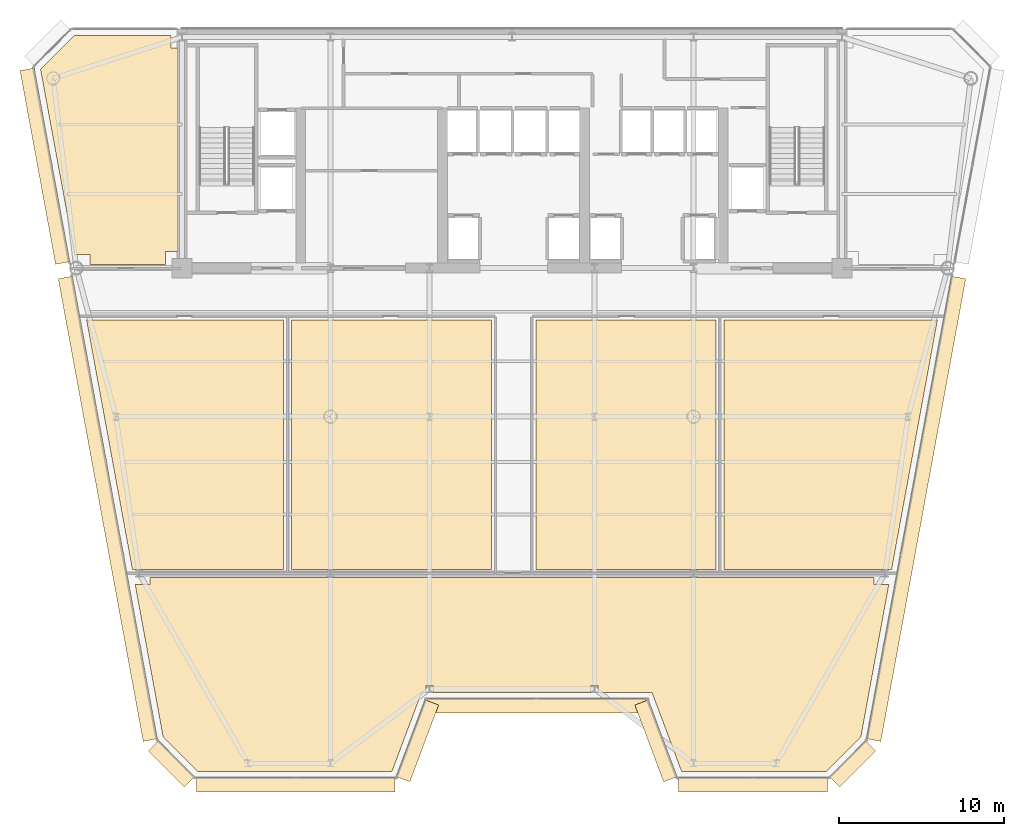
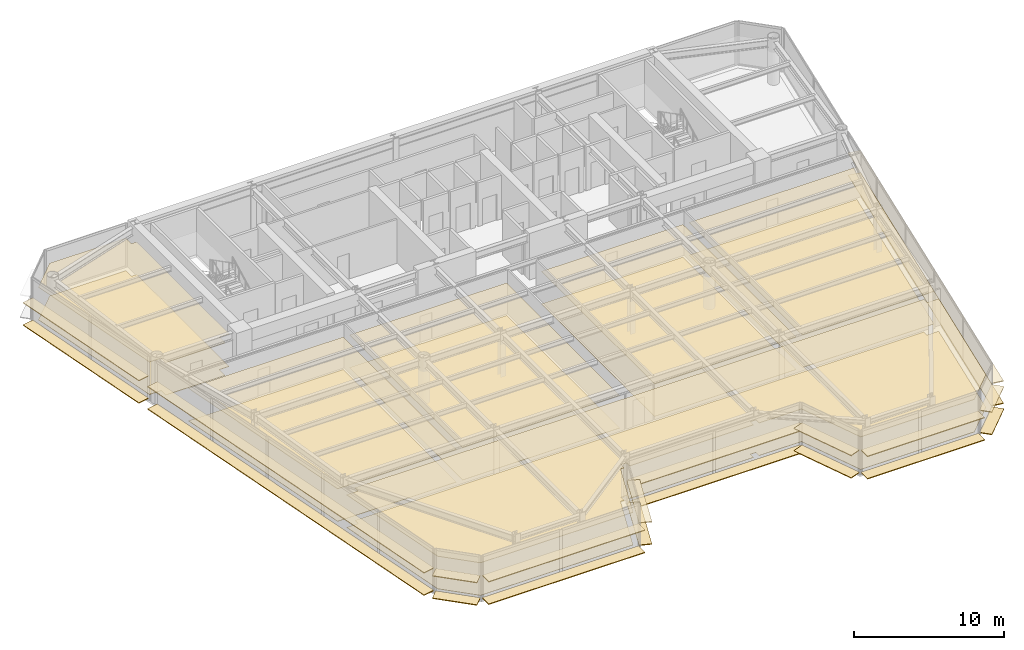
# One storey, part 12 of 15: 32 coverings.
"""IFC4 building model written with IfcOpenShell, lengths in metres."""

from ifc_helpers import new_model, si_unit, direction, frame, origin, origin_2d, place, context, subcontext, project, spatial, polyline, rectangle, outline, extrude, source, transform, mapped, material, layer, layer_set, type_object, element, save


model = new_model("IFC4")

# Units and contexts
model_context = context("Model", 3, precision=1e-05, world=origin(), true_north=direction((0.0, 1.0)))
body_context = subcontext(model_context, "Body", "Model", "MODEL_VIEW")
ifc_project = project(units=[si_unit("LENGTHUNIT", "METRE"), si_unit("AREAUNIT", "SQUARE_METRE"), si_unit("VOLUMEUNIT", "CUBIC_METRE"), si_unit("PLANEANGLEUNIT", "RADIAN"), si_unit("MASSUNIT", "GRAM", prefix="KILO")], contexts=[model_context])

# Site, building, storey
site_placement = place(None, origin())
site = spatial("IfcSite", under=ifc_project, at=site_placement, CompositionType="ELEMENT")
building_placement = place(site_placement, origin())
building = spatial("IfcBuilding", under=site, at=building_placement, Name="Vaeldorn Concourse Tower", CompositionType="ELEMENT")
storey_placement = place(building_placement, frame((0.0, 0.0, 199.39990234375)))
storey = spatial("IfcBuildingStorey", under=building, at=storey_placement, Name="L51", CompositionType="ELEMENT", Elevation=199.39990234375)

# Coverings
ifc_material_1 = material(Name="Acoustic Mineral Fibre Board", Category="gypsum")
ifc_layer_1 = layer(ifc_material_1, 0.0400390625)
ifc_layer_set_1 = layer_set([ifc_layer_1], Name="Acoustic Mineral Fibre Board")
covering_type_1 = type_object("IfcCoveringType", Name="COV-CEIL-ACOUSTIC", PredefinedType="CEILING", material=ifc_layer_set_1)
covering_1_placement = place(storey_placement, frame((0.0, 0.0, 2.650146484375)))
element("IfcCovering", 1, at=covering_1_placement, inside=storey, type_object=covering_type_1, Name="Suspended Acoustic Ceiling L51-3", PredefinedType="CEILING", context=body_context, shape_type="SweptSolid", body=[
    extrude(outline(polyline([(7.4658203125, 50.60009765625), (13.340087890625, 50.60009765625), (13.340087890625, 49.840087890625), (13.760009765625, 49.840087890625), (13.760009765625, 37.5), (13.0, 37.5), (13.0, 36.719970703125), (8.419921875, 36.719970703125), (8.419921875, 37.320068359375), (7.49609375, 37.320068359375), (5.431396484375, 48.565673828125), (7.4658203125, 50.60009765625)])), origin(), (0.0, 0.0, 1.0), 0.0400390625),
])
covering_2_placement = place(storey_placement, frame((0.0, 0.0, 2.650146484375)))
element("IfcCovering", 2, at=covering_2_placement, inside=storey, type_object=covering_type_1, Name="Suspended Acoustic Ceiling L51-5", PredefinedType="CEILING", context=body_context, shape_type="SweptSolid", body=[
    extrude(outline(polyline([(12.06005859375, 17.760009765625), (55.93994140625, 17.760009765625), (55.93994140625, 17.340087890625), (56.83544921875, 17.340087890625), (55.13818359375, 8.0947265625), (53.043212890625, 6.0), (44.277099609375, 6.0), (42.477294921875, 10.800048828125), (39.2060546875, 10.800048828125), (39.2060546875, 11.217529296875), (38.7939453125, 11.217529296875), (38.7939453125, 10.800048828125), (29.2060546875, 10.800048828125), (29.2060546875, 11.217529296875), (28.7939453125, 11.217529296875), (28.7939453125, 10.800048828125), (28.522705078125, 10.800048828125), (26.722900390625, 6.0), (14.956787109375, 6.0), (12.86181640625, 8.0947265625), (11.16455078125, 17.340087890625), (12.06005859375, 17.340087890625), (12.06005859375, 17.760009765625)])), origin(), (0.0, 0.0, 1.0), 0.0400390625),
])
covering_3_placement = place(storey_placement, frame((0.0, 0.0, 2.650146484375)))
element("IfcCovering", 3, at=covering_3_placement, inside=storey, type_object=covering_type_1, Name="Suspended Acoustic Ceiling L51-6", PredefinedType="CEILING", context=body_context, shape_type="SweptSolid", body=[
    extrude(outline(polyline([(20.159912109375, 33.360107421875), (20.159912109375, 18.239990234375), (10.999267578125, 18.239990234375), (8.22314453125, 33.360107421875), (20.159912109375, 33.360107421875)])), origin(), (0.0, 0.0, 1.0), 0.0400390625),
])
covering_4_placement = place(storey_placement, frame((0.0, 0.0, 2.650146484375)))
element("IfcCovering", 4, at=covering_4_placement, inside=storey, type_object=covering_type_1, Name="Suspended Acoustic Ceiling L51-7", PredefinedType="CEILING", context=body_context, shape_type="SweptSolid", body=[
    extrude(outline(polyline([(20.639892578125, 33.360107421875), (32.760009765625, 33.360107421875), (32.760009765625, 18.239990234375), (20.639892578125, 18.239990234375), (20.639892578125, 33.360107421875)])), origin(), (0.0, 0.0, 1.0), 0.0400390625),
])
covering_5_placement = place(storey_placement, frame((0.0, 0.0, 2.650146484375)))
element("IfcCovering", 5, at=covering_5_placement, inside=storey, type_object=covering_type_1, Name="Suspended Acoustic Ceiling L51-8", PredefinedType="CEILING", context=body_context, shape_type="SweptSolid", body=[
    extrude(outline(polyline([(35.43994140625, 33.360107421875), (46.360107421875, 33.360107421875), (46.360107421875, 18.239990234375), (35.43994140625, 18.239990234375), (35.43994140625, 33.360107421875)])), origin(), (0.0, 0.0, 1.0), 0.0400390625),
])
covering_6_placement = place(storey_placement, frame((0.0, 0.0, 2.650146484375)))
element("IfcCovering", 6, at=covering_6_placement, inside=storey, type_object=covering_type_1, Name="Suspended Acoustic Ceiling L51-9", PredefinedType="CEILING", context=body_context, shape_type="SweptSolid", body=[
    extrude(outline(polyline([(46.840087890625, 33.360107421875), (59.77685546875, 33.360107421875), (57.000732421875, 18.239990234375), (46.840087890625, 18.239990234375), (46.840087890625, 33.360107421875)])), origin(), (0.0, 0.0, 1.0), 0.0400390625),
])
ifc_material_2 = material(Name="Honed Limestone Terrazzo Flooring", Category="masonry")
ifc_layer_2 = layer(ifc_material_2, 0.0400390625)
ifc_layer_set_2 = layer_set([ifc_layer_2], Name="Honed Limestone Terrazzo Flooring")
covering_type_2 = type_object("IfcCoveringType", Name="COV-FLOOR-STONE", PredefinedType="FLOORING", material=ifc_layer_set_2)
covering_7_placement = place(storey_placement, origin())
element("IfcCovering", 7, at=covering_7_placement, inside=storey, type_object=covering_type_2, Name="Floor Finish Covering L51-3", PredefinedType="FLOORING", context=body_context, shape_type="SweptSolid", body=[
    extrude(outline(polyline([(7.4658203125, 50.60009765625), (13.340087890625, 50.60009765625), (13.340087890625, 49.840087890625), (13.760009765625, 49.840087890625), (13.760009765625, 37.5), (13.0, 37.5), (13.0, 36.719970703125), (8.419921875, 36.719970703125), (8.419921875, 37.320068359375), (7.49609375, 37.320068359375), (5.431396484375, 48.565673828125), (7.4658203125, 50.60009765625)])), origin(), (0.0, 0.0, 1.0), 0.030029296875),
])
covering_8_placement = place(storey_placement, origin())
element("IfcCovering", 8, at=covering_8_placement, inside=storey, type_object=covering_type_2, Name="Floor Finish Covering L51-5", PredefinedType="FLOORING", context=body_context, shape_type="SweptSolid", body=[
    extrude(outline(polyline([(12.06005859375, 17.760009765625), (55.93994140625, 17.760009765625), (55.93994140625, 17.340087890625), (56.83544921875, 17.340087890625), (55.13818359375, 8.0947265625), (53.043212890625, 6.0), (44.277099609375, 6.0), (42.477294921875, 10.800048828125), (39.2060546875, 10.800048828125), (39.2060546875, 11.217529296875), (38.7939453125, 11.217529296875), (38.7939453125, 10.800048828125), (29.2060546875, 10.800048828125), (29.2060546875, 11.217529296875), (28.7939453125, 11.217529296875), (28.7939453125, 10.800048828125), (28.522705078125, 10.800048828125), (26.722900390625, 6.0), (14.956787109375, 6.0), (12.86181640625, 8.0947265625), (11.16455078125, 17.340087890625), (12.06005859375, 17.340087890625), (12.06005859375, 17.760009765625)])), origin(), (0.0, 0.0, 1.0), 0.030029296875),
])
covering_9_placement = place(storey_placement, origin())
element("IfcCovering", 9, at=covering_9_placement, inside=storey, type_object=covering_type_2, Name="Floor Finish Covering L51-6", PredefinedType="FLOORING", context=body_context, shape_type="SweptSolid", body=[
    extrude(outline(polyline([(20.159912109375, 33.360107421875), (20.159912109375, 18.239990234375), (10.999267578125, 18.239990234375), (8.22314453125, 33.360107421875), (20.159912109375, 33.360107421875)])), origin(), (0.0, 0.0, 1.0), 0.030029296875),
])
covering_10_placement = place(storey_placement, origin())
element("IfcCovering", 10, at=covering_10_placement, inside=storey, type_object=covering_type_2, Name="Floor Finish Covering L51-7", PredefinedType="FLOORING", context=body_context, shape_type="SweptSolid", body=[
    extrude(outline(polyline([(20.639892578125, 33.360107421875), (32.760009765625, 33.360107421875), (32.760009765625, 18.239990234375), (20.639892578125, 18.239990234375), (20.639892578125, 33.360107421875)])), origin(), (0.0, 0.0, 1.0), 0.030029296875),
])
covering_11_placement = place(storey_placement, origin())
element("IfcCovering", 11, at=covering_11_placement, inside=storey, type_object=covering_type_2, Name="Floor Finish Covering L51-8", PredefinedType="FLOORING", context=body_context, shape_type="SweptSolid", body=[
    extrude(outline(polyline([(35.43994140625, 33.360107421875), (46.360107421875, 33.360107421875), (46.360107421875, 18.239990234375), (35.43994140625, 18.239990234375), (35.43994140625, 33.360107421875)])), origin(), (0.0, 0.0, 1.0), 0.030029296875),
])
covering_12_placement = place(storey_placement, origin())
element("IfcCovering", 12, at=covering_12_placement, inside=storey, type_object=covering_type_2, Name="Floor Finish Covering L51-9", PredefinedType="FLOORING", context=body_context, shape_type="SweptSolid", body=[
    extrude(outline(polyline([(46.840087890625, 33.360107421875), (59.77685546875, 33.360107421875), (57.000732421875, 18.239990234375), (46.840087890625, 18.239990234375), (46.840087890625, 33.360107421875)])), origin(), (0.0, 0.0, 1.0), 0.030029296875),
])
ifc_material_3 = material(Name="Anodised Bronze Aluminium", Category="aluminium")
ifc_layer_3 = layer(ifc_material_3, 0.06494140625)
ifc_layer_set_3 = layer_set([ifc_layer_3], Name="Anodised Bronze Aluminium")
covering_type_3 = type_object("IfcCoveringType", Name="SD-BRONZE-SUNSHADE", PredefinedType="USERDEFINED", material=ifc_layer_set_3)
shared_shape_1 = source(origin(), body_context, "Body", "SweptSolid", [
    extrude(rectangle(XDim=4.96630859375, YDim=0.8798828125, at=origin_2d()), origin(), (0.0, 0.0, 1.0), 0.06494140625),
])
for number, where, z_axis, x_axis, name in (
    (13, (28.2744140625, 7.859619140625, 0.047607421875), (0.0, 0.0, 1.0), (0.351122702609, 0.936329454686, 0.0), "Horizontal Bronze Sunshade L51-E02.1.1"),
    (14, (28.2744140625, 7.859619140625, 1.86767578125), (0.0, 0.0, 1.0), (0.351122702609, 0.936329454686, 0.0), "Horizontal Bronze Sunshade L51-E02.1.2"),
    (15, (42.7255859375, 7.859619140625, 0.047607421875), (0.0, 0.0, 1.0), (0.351122702609, -0.936329454686, 0.0), "Horizontal Bronze Sunshade L51-E04.1.1"),
    (16, (42.7255859375, 7.859619140625, 1.86767578125), (0.0, 0.0, 1.0), (0.351122702609, -0.936329454686, 0.0), "Horizontal Bronze Sunshade L51-E04.1.2"),
):
    element("IfcCovering", number, at=place(storey_placement, frame(where, z_axis=z_axis, x_axis=x_axis)), inside=storey, type_object=covering_type_3, Name=name, ObjectType="SUNSHADE", PredefinedType="USERDEFINED", context=body_context, shape_type="MappedRepresentation", body=[
        mapped(shared_shape_1, transform((0.0, 0.0, 0.0), scale=1.0)),
    ])
shared_shape_2 = source(origin(), body_context, "Body", "SweptSolid", [
    extrude(rectangle(XDim=13.239990234375, YDim=0.8798828125, at=origin_2d()), origin(), (0.0, 0.0, 1.0), 0.06494140625),
])
for number, where, z_axis, x_axis, name in (
    (17, (35.5, 10.0, 0.047607421875), (0.0, 0.0, 1.0), (1.0, 0.0, 0.0), "Horizontal Bronze Sunshade L51-E03.1.1"),
    (18, (35.5, 10.0, 1.86767578125), (0.0, 0.0, 1.0), (1.0, 0.0, 0.0), "Horizontal Bronze Sunshade L51-E03.1.2"),
):
    element("IfcCovering", number, at=place(storey_placement, frame(where, z_axis=z_axis, x_axis=x_axis)), inside=storey, type_object=covering_type_3, Name=name, ObjectType="SUNSHADE", PredefinedType="USERDEFINED", context=body_context, shape_type="MappedRepresentation", body=[
        mapped(shared_shape_2, transform((0.0, 0.0, 0.0), scale=1.0)),
    ])
shared_shape_3 = source(origin(), body_context, "Body", "SweptSolid", [
    extrude(rectangle(XDim=3.0927734375, YDim=0.8798828125, at=origin_2d()), origin(), (0.0, 0.0, 1.0), 0.06494140625),
])
for number, where, z_axis, x_axis, name in (
    (19, (54.641845703125, 6.46728515625, 0.047607421875), (0.0, 0.0, 1.0), (0.707106781187, 0.707106781187, 0.0), "Horizontal Bronze Sunshade L51-E06.1.1"),
    (20, (54.641845703125, 6.46728515625, 1.86767578125), (0.0, 0.0, 1.0), (0.707106781187, 0.707106781187, 0.0), "Horizontal Bronze Sunshade L51-E06.1.2"),
    (21, (13.358154296875, 6.46728515625, 0.047607421875), (0.0, 0.0, 1.0), (0.707106781187, -0.707106781187, 0.0), "Horizontal Bronze Sunshade L51-E12.1.1"),
    (22, (13.358154296875, 6.46728515625, 1.86767578125), (0.0, 0.0, 1.0), (0.707106781187, -0.707106781187, 0.0), "Horizontal Bronze Sunshade L51-E12.1.2"),
):
    element("IfcCovering", number, at=place(storey_placement, frame(where, z_axis=z_axis, x_axis=x_axis)), inside=storey, type_object=covering_type_3, Name=name, ObjectType="SUNSHADE", PredefinedType="USERDEFINED", context=body_context, shape_type="MappedRepresentation", body=[
        mapped(shared_shape_3, transform((0.0, 0.0, 0.0), scale=1.0)),
    ])
shared_shape_4 = source(origin(), body_context, "Body", "SweptSolid", [
    extrude(rectangle(XDim=28.49462890625, YDim=0.8798828125, at=origin_2d()), origin(), (0.0, 0.0, 1.0), 0.06494140625),
])
for number, where, z_axis, x_axis, name in (
    (23, (58.48974609375, 21.91943359375, 0.047607421875), (0.0, 0.0, 1.0), (0.180587811053, 0.983558865803, 0.0), "Horizontal Bronze Sunshade L51-E07.1.1"),
    (24, (58.48974609375, 21.91943359375, 1.86767578125), (0.0, 0.0, 1.0), (0.180587811053, 0.983558865803, 0.0), "Horizontal Bronze Sunshade L51-E07.1.2"),
    (25, (9.51025390625, 21.91943359375, 0.047607421875), (0.0, 0.0, 1.0), (0.180587811053, -0.983558865803, 0.0), "Horizontal Bronze Sunshade L51-E11.2.1"),
    (26, (9.51025390625, 21.91943359375, 1.86767578125), (0.0, 0.0, 1.0), (0.180587811053, -0.983558865803, 0.0), "Horizontal Bronze Sunshade L51-E11.2.2"),
):
    element("IfcCovering", number, at=place(storey_placement, frame(where, z_axis=z_axis, x_axis=x_axis)), inside=storey, type_object=covering_type_3, Name=name, ObjectType="SUNSHADE", PredefinedType="USERDEFINED", context=body_context, shape_type="MappedRepresentation", body=[
        mapped(shared_shape_4, transform((0.0, 0.0, 0.0), scale=1.0)),
    ])
shared_shape_5 = source(origin(), body_context, "Body", "SweptSolid", [
    extrude(rectangle(XDim=11.931396484375, YDim=0.8798828125, at=origin_2d()), origin(), (0.0, 0.0, 1.0), 0.06494140625),
])
for number, where, z_axis, x_axis, name in (
    (27, (5.6982421875, 42.681396484375, 0.047607421875), (0.0, 0.0, 1.0), (0.180587811053, -0.983558865803, 0.0), "Horizontal Bronze Sunshade L51-E11.1.1"),
    (28, (5.6982421875, 42.681396484375, 1.86767578125), (0.0, 0.0, 1.0), (0.180587811053, -0.983558865803, 0.0), "Horizontal Bronze Sunshade L51-E11.1.2"),
):
    element("IfcCovering", number, at=place(storey_placement, frame(where, z_axis=z_axis, x_axis=x_axis)), inside=storey, type_object=covering_type_3, Name=name, ObjectType="SUNSHADE", PredefinedType="USERDEFINED", context=body_context, shape_type="MappedRepresentation", body=[
        mapped(shared_shape_5, transform((0.0, 0.0, 0.0), scale=1.0)),
    ])
shared_shape_6 = source(origin(), body_context, "Body", "SweptSolid", [
    extrude(rectangle(XDim=12.049072265625, YDim=0.8798828125, at=origin_2d()), origin(), (0.0, 0.0, 1.0), 0.06494140625),
])
for number, where, z_axis, x_axis, name in (
    (29, (20.8955078125, 5.199951171875, 0.047607421875), (0.0, 0.0, 1.0), (1.0, 0.0, 0.0), "Horizontal Bronze Sunshade L51-E01.1.1"),
    (30, (20.8955078125, 5.199951171875, 1.86767578125), (0.0, 0.0, 1.0), (1.0, 0.0, 0.0), "Horizontal Bronze Sunshade L51-E01.1.2"),
):
    element("IfcCovering", number, at=place(storey_placement, frame(where, z_axis=z_axis, x_axis=x_axis)), inside=storey, type_object=covering_type_3, Name=name, ObjectType="SUNSHADE", PredefinedType="USERDEFINED", context=body_context, shape_type="MappedRepresentation", body=[
        mapped(shared_shape_6, transform((0.0, 0.0, 0.0), scale=1.0)),
    ])
shared_shape_7 = source(origin(), body_context, "Body", "SweptSolid", [
    extrude(rectangle(XDim=9.049072265625, YDim=0.8798828125, at=origin_2d()), origin(), (0.0, 0.0, 1.0), 0.06494140625),
])
for number, where, z_axis, x_axis, name in (
    (31, (48.6044921875, 5.199951171875, 0.047607421875), (0.0, 0.0, 1.0), (1.0, 0.0, 0.0), "Horizontal Bronze Sunshade L51-E05.1.1"),
    (32, (48.6044921875, 5.199951171875, 1.86767578125), (0.0, 0.0, 1.0), (1.0, 0.0, 0.0), "Horizontal Bronze Sunshade L51-E05.1.2"),
):
    element("IfcCovering", number, at=place(storey_placement, frame(where, z_axis=z_axis, x_axis=x_axis)), inside=storey, type_object=covering_type_3, Name=name, ObjectType="SUNSHADE", PredefinedType="USERDEFINED", context=body_context, shape_type="MappedRepresentation", body=[
        mapped(shared_shape_7, transform((0.0, 0.0, 0.0), scale=1.0)),
    ])

save(model, "model.ifc")
